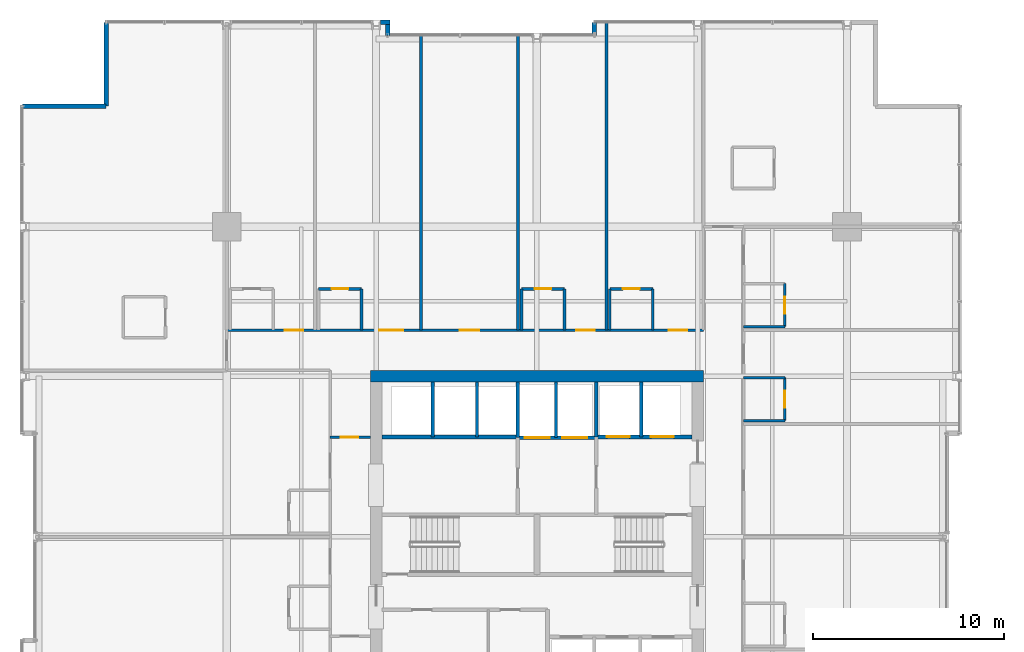
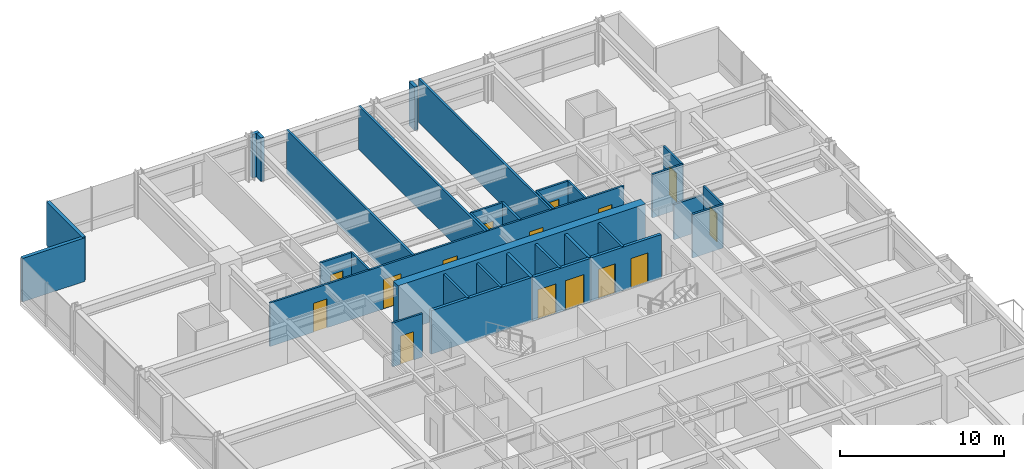
# One storey, part 31 of 35: 33 walls, 15 doors, 15 openings.
"""IFC4 building model written with IfcOpenShell, lengths in metres."""

from ifc_helpers import new_model, si_unit, direction, frame, frame_2d, origin, place, context, subcontext, project, spatial, rectangle, extrude, material, layer, layer_set, type_object, element, fill, save


model = new_model("IFC4")

# Units and contexts
model_context = context("Model", 3, precision=1e-05, world=origin(), true_north=direction((0.0, 1.0)))
body_context = subcontext(model_context, "Body", "Model", "MODEL_VIEW")
ifc_project = project(units=[si_unit("LENGTHUNIT", "METRE"), si_unit("AREAUNIT", "SQUARE_METRE"), si_unit("VOLUMEUNIT", "CUBIC_METRE"), si_unit("PLANEANGLEUNIT", "RADIAN"), si_unit("MASSUNIT", "GRAM", prefix="KILO")], contexts=[model_context])

# Site, building, storey
site_placement = place(None, origin())
site = spatial("IfcSite", under=ifc_project, at=site_placement, CompositionType="ELEMENT")
building_placement = place(site_placement, origin())
building = spatial("IfcBuilding", under=site, at=building_placement, Name="Drelvath Grand Hotel", CompositionType="ELEMENT")
storey_placement = place(building_placement, frame((0.0, 0.0, 95.300048828125)))
storey = spatial("IfcBuildingStorey", under=building, at=storey_placement, Name="L23", CompositionType="ELEMENT", Elevation=95.300048828125)

# Wall, openings, doors
ifc_material_1 = material(Name="Concrete C40/50", Category="concrete")
ifc_layer_1 = layer(ifc_material_1, 0.199951171875)
ifc_layer_set_1 = layer_set([ifc_layer_1], Name="Concrete C40/50")
wall_type_1 = type_object("IfcWallType", Name="Core Hoistway Fire Wall 200", PredefinedType="SOLIDWALL", material=ifc_layer_set_1)
wall_1_placement = place(storey_placement, frame((3.10009765625, 32.219970703125, 0.0), z_axis=(0.0, 0.0, 1.0), x_axis=(1.0, 0.0, 0.0)))
wall_1 = element("IfcWall", 1, at=wall_1_placement, inside=storey, type_object=wall_type_1, Name="L23 FSAE Hoistway Front Wall", PredefinedType="SOLIDWALL", context=body_context, shape_type="SweptSolid", body=[
    extrude(rectangle(XDim=5.0, YDim=0.199951171875, at=frame_2d((2.5, 0.0))), origin(), (0.0, 0.0, 1.0), 3.239990234375),
])
opening_1_placement = place(wall_1_placement, frame((0.550048828125, 0.0, 0.0)))
opening_1 = element("IfcOpeningElement", 2, at=opening_1_placement, cuts=wall_1, Name="Opening LD-FSAE-1", PredefinedType="OPENING", context=body_context, shape_type="SweptSolid", body=[
    extrude(rectangle(XDim=1.199951171875, YDim=2.199951171875, at=frame_2d((0.60009765625, 1.10009765625))), frame((0.0, 0.10986328125, 0.0), z_axis=(0.0, -1.0, 0.0), x_axis=(1.0, 0.0, 0.0)), (0.0, 0.0, 1.0), 0.219970703125),
])
opening_2_placement = place(wall_1_placement, frame((2.85009765625, 0.0, 0.0)))
opening_2 = element("IfcOpeningElement", 3, at=opening_2_placement, cuts=wall_1, Name="Opening LD-FSAE-2", PredefinedType="OPENING", context=body_context, shape_type="SweptSolid", body=[
    extrude(rectangle(XDim=1.199951171875, YDim=2.199951171875, at=frame_2d((0.60009765625, 1.10009765625))), frame((0.0, 0.10986328125, 0.0), z_axis=(0.0, -1.0, 0.0), x_axis=(1.0, 0.0, 0.0)), (0.0, 0.0, 1.0), 0.219970703125),
])
ifc_material_2 = material(Name="Stainless Steel S355", Category="steel")
door_type_1 = type_object("IfcDoorType", Name="FSAE Lift Sliding Landing Door 1200x2200", OperationType="NOTDEFINED", PredefinedType="DOOR", material=ifc_material_2)
door_1_placement = place(opening_1_placement, origin())
door_1 = element("IfcDoor", 4, at=door_1_placement, inside=storey, type_object=door_type_1, Name="L23 Lift FSAE-1 Landing Door", OperationType="SLIDING_TO_LEFT", OverallHeight=2.199951171875, OverallWidth=1.199951171875, PredefinedType="DOOR", context=body_context, shape_type="SweptSolid", body=[
    extrude(rectangle(XDim=1.199951171875, YDim=2.199951171875, at=frame_2d((0.60009765625, 1.10009765625))), frame((0.0, 0.02490234375, 0.0), z_axis=(0.0, -1.0, 0.0), x_axis=(1.0, 0.0, 0.0)), (0.0, 0.0, 1.0), 0.050048828125),
])
fill(opening_1, door_1)
door_2_placement = place(opening_2_placement, origin())
door_2 = element("IfcDoor", 5, at=door_2_placement, inside=storey, type_object=door_type_1, Name="L23 Lift FSAE-2 Landing Door", OperationType="SLIDING_TO_LEFT", OverallHeight=2.199951171875, OverallWidth=1.199951171875, PredefinedType="DOOR", context=body_context, shape_type="SweptSolid", body=[
    extrude(rectangle(XDim=1.199951171875, YDim=2.199951171875, at=frame_2d((0.60009765625, 1.10009765625))), frame((0.0, 0.02490234375, 0.0), z_axis=(0.0, -1.0, 0.0), x_axis=(1.0, 0.0, 0.0)), (0.0, 0.0, 1.0), 0.050048828125),
])
fill(opening_2, door_2)

# Wall
wall_2_placement = place(storey_placement, frame((3.10009765625, 32.219970703125, 0.0), z_axis=(0.0, 0.0, 1.0), x_axis=(0.0, 1.0, 0.0)))
element("IfcWall", 6, at=wall_2_placement, inside=storey, type_object=wall_type_1, Name="L23 FSAE Hoistway West Wall", PredefinedType="SOLIDWALL", context=body_context, shape_type="SweptSolid", body=[
    extrude(rectangle(XDim=2.880126953125, YDim=0.199951171875, at=frame_2d((1.43994140625, 0.0))), origin(), (0.0, 0.0, 1.0), 3.239990234375),
])

# Wall, openings, doors
wall_3_placement = place(storey_placement, frame((-1.0, 32.179931640625, 0.0), z_axis=(0.0, 0.0, 1.0), x_axis=(1.0, 0.0, 0.0)))
wall_3 = element("IfcWall", 7, at=wall_3_placement, inside=storey, type_object=wall_type_1, Name="L23 Service Lift Hoistway Wall", PredefinedType="SOLIDWALL", context=body_context, shape_type="SweptSolid", body=[
    extrude(rectangle(XDim=4.10009765625, YDim=0.199951171875, at=frame_2d((2.050048828125, 0.0))), origin(), (0.0, 0.0, 1.0), 3.239990234375),
])
opening_3_placement = place(wall_3_placement, frame((0.3701171875, 0.0, 0.0)))
opening_3 = element("IfcOpeningElement", 8, at=opening_3_placement, cuts=wall_3, Name="Opening LD-SV-2", PredefinedType="OPENING", context=body_context, shape_type="SweptSolid", body=[
    extrude(rectangle(XDim=1.300048828125, YDim=2.199951171875, at=frame_2d((0.64990234375, 1.10009765625))), frame((0.0, 0.10986328125, 0.0), z_axis=(0.0, -1.0, 0.0), x_axis=(1.0, 0.0, 0.0)), (0.0, 0.0, 1.0), 0.219970703125),
])
opening_4_placement = place(wall_3_placement, frame((2.330078125, 0.0, 0.0)))
opening_4 = element("IfcOpeningElement", 9, at=opening_4_placement, cuts=wall_3, Name="Opening LD-SV-1", PredefinedType="OPENING", context=body_context, shape_type="SweptSolid", body=[
    extrude(rectangle(XDim=1.300048828125, YDim=2.199951171875, at=frame_2d((0.64990234375, 1.10009765625))), frame((0.0, 0.10986328125, 0.0), z_axis=(0.0, -1.0, 0.0), x_axis=(1.0, 0.0, 0.0)), (0.0, 0.0, 1.0), 0.219970703125),
])
door_type_2 = type_object("IfcDoorType", Name="Service Lift Sliding Landing Door 1300x2200", OperationType="NOTDEFINED", PredefinedType="DOOR", material=ifc_material_2)
door_3_placement = place(opening_3_placement, origin())
door_3 = element("IfcDoor", 10, at=door_3_placement, inside=storey, type_object=door_type_2, Name="L23 Lift SV-2 Landing Door", OperationType="SLIDING_TO_LEFT", OverallHeight=2.199951171875, OverallWidth=1.300048828125, PredefinedType="DOOR", context=body_context, shape_type="SweptSolid", body=[
    extrude(rectangle(XDim=1.300048828125, YDim=2.199951171875, at=frame_2d((0.64990234375, 1.10009765625))), frame((0.0, 0.02490234375, 0.0), z_axis=(0.0, -1.0, 0.0), x_axis=(1.0, 0.0, 0.0)), (0.0, 0.0, 1.0), 0.050048828125),
])
fill(opening_3, door_3)
door_4_placement = place(opening_4_placement, origin())
door_4 = element("IfcDoor", 11, at=door_4_placement, inside=storey, type_object=door_type_2, Name="L23 Lift SV-1 Landing Door", OperationType="SLIDING_TO_LEFT", OverallHeight=2.199951171875, OverallWidth=1.300048828125, PredefinedType="DOOR", context=body_context, shape_type="SweptSolid", body=[
    extrude(rectangle(XDim=1.300048828125, YDim=2.199951171875, at=frame_2d((0.64990234375, 1.10009765625))), frame((0.0, 0.02490234375, 0.0), z_axis=(0.0, -1.0, 0.0), x_axis=(1.0, 0.0, 0.0)), (0.0, 0.0, 1.0), 0.050048828125),
])
fill(opening_4, door_4)

# Walls
wall_4_placement = place(storey_placement, frame((-1.0, 32.179931640625, 0.0), z_axis=(0.0, 0.0, 1.0), x_axis=(0.0, 1.0, 0.0)))
element("IfcWall", 12, at=wall_4_placement, inside=storey, type_object=wall_type_1, Name="L23 Service Lift West Wall", PredefinedType="SOLIDWALL", context=body_context, shape_type="SweptSolid", body=[
    extrude(rectangle(XDim=2.920166015625, YDim=0.199951171875, at=frame_2d((1.4599609375, 0.0))), origin(), (0.0, 0.0, 1.0), 3.239990234375),
])
wall_5_placement = place(storey_placement, frame((-8.10009765625, 32.219970703125, 0.0), z_axis=(0.0, 0.0, 1.0), x_axis=(1.0, 0.0, 0.0)))
element("IfcWall", 13, at=wall_5_placement, inside=storey, type_object=wall_type_1, Name="L23 Bank 3 Hoistway Wall", PredefinedType="SOLIDWALL", context=body_context, shape_type="SweptSolid", body=[
    extrude(rectangle(XDim=7.10009765625, YDim=0.199951171875, at=frame_2d((3.550048828125, 0.0))), origin(), (0.0, 0.0, 1.0), 3.239990234375),
])
ifc_material_3 = material(Name="Gypsum Fireboard Partition")
ifc_layer_2 = layer(ifc_material_3, 0.1650390625)
ifc_layer_set_2 = layer_set([ifc_layer_2], Name="Gypsum Fireboard Partition")
wall_type_2 = type_object("IfcWallType", Name="Core Shaft Partition 165", PredefinedType="PARTITIONING", material=ifc_layer_set_2)
wall_6_placement = place(storey_placement, frame((5.449951171875, 32.219970703125, 0.0), z_axis=(0.0, 0.0, 1.0), x_axis=(0.0, 1.0, 0.0)))
element("IfcWall", 14, at=wall_6_placement, inside=storey, type_object=wall_type_2, Name="L23 FSAE Hoistway Divider", PredefinedType="PARTITIONING", context=body_context, shape_type="SweptSolid", body=[
    extrude(rectangle(XDim=2.880126953125, YDim=0.1650390625, at=frame_2d((1.43994140625, 0.0))), origin(), (0.0, 0.0, 1.0), 3.239990234375),
])
wall_7_placement = place(storey_placement, frame((1.0, 32.179931640625, 0.0), z_axis=(0.0, 0.0, 1.0), x_axis=(0.0, 1.0, 0.0)))
element("IfcWall", 15, at=wall_7_placement, inside=storey, type_object=wall_type_2, Name="L23 Service Lift Divider", PredefinedType="PARTITIONING", context=body_context, shape_type="SweptSolid", body=[
    extrude(rectangle(XDim=2.920166015625, YDim=0.1650390625, at=frame_2d((1.4599609375, 0.0))), origin(), (0.0, 0.0, 1.0), 3.239990234375),
])
for number, where, z_axis, x_axis, name in (
    (16, (-5.43994140625, 32.219970703125, 0.0), (0.0, 0.0, 1.0), (0.0, 1.0, 0.0), "L23 Lift PE-7/8 Divider"),
    (17, (-3.1201171875, 32.219970703125, 0.0), (0.0, 0.0, 1.0), (0.0, 1.0, 0.0), "L23 Lift PE-8/9 Divider"),
):
    element("IfcWall", number, at=place(storey_placement, frame(where, z_axis=z_axis, x_axis=x_axis)), inside=storey, type_object=wall_type_2, Name=name, PredefinedType="PARTITIONING", context=body_context, shape_type="SweptSolid", body=[
        extrude(rectangle(XDim=2.880126953125, YDim=0.1650390625, at=frame_2d((1.43994140625, 0.0))), origin(), (0.0, 0.0, 1.0), 3.239990234375),
    ])

# Wall, opening, door
ifc_layer_3 = layer(ifc_material_3, 0.135009765625)
ifc_layer_set_3 = layer_set([ifc_layer_3], Name="Gypsum Fireboard Partition")
wall_type_3 = type_object("IfcWallType", Name="Corridor Fire Barrier Wall 135", PredefinedType="PARTITIONING", material=ifc_layer_set_3)
wall_8_placement = place(storey_placement, frame((-10.800048828125, 32.199951171875, 0.0), z_axis=(0.0, 0.0, 1.0), x_axis=(1.0, 0.0, 0.0)))
wall_8 = element("IfcWall", 18, at=wall_8_placement, inside=storey, type_object=wall_type_3, Name="L23 West Foyer North Wall", PredefinedType="PARTITIONING", context=body_context, shape_type="SweptSolid", body=[
    extrude(rectangle(XDim=2.10009765625, YDim=0.135009765625, at=frame_2d((1.050048828125, 0.0))), origin(), (0.0, 0.0, 1.0), 3.239990234375),
])
opening_5_placement = place(wall_8_placement, frame((0.550048828125, 0.0, 0.0)))
opening_5 = element("IfcOpeningElement", 19, at=opening_5_placement, cuts=wall_8, Name="Opening D-T2G1-018", PredefinedType="OPENING", context=body_context, shape_type="SweptSolid", body=[
    extrude(rectangle(XDim=0.919921875, YDim=2.10009765625, at=frame_2d((0.4599609375, 1.050048828125))), frame((0.0, 0.077392578125, 0.0), z_axis=(0.0, -1.0, 0.0), x_axis=(1.0, 0.0, 0.0)), (0.0, 0.0, 1.0), 0.155029296875),
])
ifc_material_4 = material(Name="Painted Steel S275", Category="steel")
door_type_3 = type_object("IfcDoorType", Name="Staff Utility Door 920x2100", OperationType="NOTDEFINED", PredefinedType="DOOR", material=ifc_material_4)
door_5_placement = place(opening_5_placement, origin())
door_5 = element("IfcDoor", 20, at=door_5_placement, inside=storey, type_object=door_type_3, Name="L23 West Pantry Door", OperationType="SINGLE_SWING_LEFT", OverallHeight=2.10009765625, OverallWidth=0.919921875, PredefinedType="DOOR", context=body_context, shape_type="SweptSolid", body=[
    extrude(rectangle(XDim=0.919921875, YDim=2.10009765625, at=frame_2d((0.4599609375, 1.050048828125))), frame((0.0, 0.02490234375, 0.0), z_axis=(0.0, -1.0, 0.0), x_axis=(1.0, 0.0, 0.0)), (0.0, 0.0, 1.0), 0.050048828125),
])
fill(opening_5, door_5)

# Wall, openings, doors
wall_9_placement = place(storey_placement, frame((-16.199951171875, 37.800048828125, 0.0), z_axis=(0.0, 0.0, 1.0), x_axis=(1.0, 0.0, 0.0)))
wall_9 = element("IfcWall", 21, at=wall_9_placement, inside=storey, type_object=wall_type_3, Name="L23 North Stub Corridor Wall", PredefinedType="PARTITIONING", context=body_context, shape_type="SweptSolid", body=[
    extrude(rectangle(XDim=24.89990234375, YDim=0.135009765625, at=frame_2d((12.449951171875, 0.0))), origin(), (0.0, 0.0, 1.0), 3.239990234375),
])
opening_6_placement = place(wall_9_placement, frame((3.04052734375, 0.0, 0.0)))
opening_6 = element("IfcOpeningElement", 22, at=opening_6_placement, cuts=wall_9, Name="Opening D-T2G1-038", PredefinedType="OPENING", context=body_context, shape_type="SweptSolid", body=[
    extrude(rectangle(XDim=0.9599609375, YDim=2.14990234375, at=frame_2d((0.47998046875, 1.074951171875))), frame((0.0, 0.077392578125, 0.0), z_axis=(0.0, -1.0, 0.0), x_axis=(1.0, 0.0, 0.0)), (0.0, 0.0, 1.0), 0.155029296875),
])
opening_7_placement = place(wall_9_placement, frame((7.962890625, 0.0, 0.0)))
opening_7 = element("IfcOpeningElement", 23, at=opening_7_placement, cuts=wall_9, Name="Opening D-T2G1-040", PredefinedType="OPENING", context=body_context, shape_type="SweptSolid", body=[
    extrude(rectangle(XDim=1.260009765625, YDim=2.199951171875, at=frame_2d((0.6298828125, 1.10009765625))), frame((0.0, 0.077392578125, 0.0), z_axis=(0.0, -1.0, 0.0), x_axis=(1.0, 0.0, 0.0)), (0.0, 0.0, 1.0), 0.155029296875),
])
opening_8_placement = place(wall_9_placement, frame((12.170654296875, 0.0, 0.0)))
opening_8 = element("IfcOpeningElement", 24, at=opening_8_placement, cuts=wall_9, Name="Opening D-T2G1-041", PredefinedType="OPENING", context=body_context, shape_type="SweptSolid", body=[
    extrude(rectangle(XDim=1.02001953125, YDim=2.14990234375, at=frame_2d((0.510009765625, 1.074951171875))), frame((0.0, 0.077392578125, 0.0), z_axis=(0.0, -1.0, 0.0), x_axis=(1.0, 0.0, 0.0)), (0.0, 0.0, 1.0), 0.155029296875),
])
opening_9_placement = place(wall_9_placement, frame((18.25732421875, 0.0, 0.0)))
opening_9 = element("IfcOpeningElement", 25, at=opening_9_placement, cuts=wall_9, Name="Opening D-T2G1-043", PredefinedType="OPENING", context=body_context, shape_type="SweptSolid", body=[
    extrude(rectangle(XDim=0.9599609375, YDim=2.14990234375, at=frame_2d((0.47998046875, 1.074951171875))), frame((0.0, 0.077392578125, 0.0), z_axis=(0.0, -1.0, 0.0), x_axis=(1.0, 0.0, 0.0)), (0.0, 0.0, 1.0), 0.155029296875),
])
opening_10_placement = place(wall_9_placement, frame((23.098876953125, 0.0, 0.0)))
opening_10 = element("IfcOpeningElement", 26, at=opening_10_placement, cuts=wall_9, Name="Opening D-T2G1-045", PredefinedType="OPENING", context=body_context, shape_type="SweptSolid", body=[
    extrude(rectangle(XDim=0.9599609375, YDim=2.14990234375, at=frame_2d((0.47998046875, 1.074951171875))), frame((0.0, 0.077392578125, 0.0), z_axis=(0.0, -1.0, 0.0), x_axis=(1.0, 0.0, 0.0)), (0.0, 0.0, 1.0), 0.155029296875),
])
ifc_material_5 = material(Name="Hardwood Walnut Timber", Category="wood")
door_type_4 = type_object("IfcDoorType", Name="Amenity Meeting Fire Door 1020x2150", OperationType="NOTDEFINED", PredefinedType="DOOR", material=ifc_material_5)
door_6_placement = place(opening_8_placement, origin())
door_6 = element("IfcDoor", 27, at=door_6_placement, inside=storey, type_object=door_type_4, Name="L23 Mid-Rise Business Lounge Entry Door", OperationType="SINGLE_SWING_RIGHT", OverallHeight=2.14990234375, OverallWidth=1.02001953125, PredefinedType="DOOR", context=body_context, shape_type="SweptSolid", body=[
    extrude(rectangle(XDim=1.02001953125, YDim=2.14990234375, at=frame_2d((0.510009765625, 1.074951171875))), frame((0.0, 0.02490234375, 0.0), z_axis=(0.0, -1.0, 0.0), x_axis=(1.0, 0.0, 0.0)), (0.0, 0.0, 1.0), 0.050048828125),
])
fill(opening_8, door_6)
door_type_5 = type_object("IfcDoorType", Name="Guestroom Entrance Fire Door 960x2150", OperationType="NOTDEFINED", PredefinedType="DOOR", material=ifc_material_5)
door_7_placement = place(opening_6_placement, origin())
door_7 = element("IfcDoor", 28, at=door_7_placement, inside=storey, type_object=door_type_5, Name="L23 Deluxe Guest Room Entry Door", OperationType="SINGLE_SWING_LEFT", OverallHeight=2.14990234375, OverallWidth=0.9599609375, PredefinedType="DOOR", context=body_context, shape_type="SweptSolid", body=[
    extrude(rectangle(XDim=0.9599609375, YDim=2.14990234375, at=frame_2d((0.47998046875, 1.074951171875))), frame((0.0, 0.02490234375, 0.0), z_axis=(0.0, -1.0, 0.0), x_axis=(1.0, 0.0, 0.0)), (0.0, 0.0, 1.0), 0.050048828125),
])
fill(opening_6, door_7)
door_8_placement = place(opening_9_placement, origin())
door_8 = element("IfcDoor", 29, at=door_8_placement, inside=storey, type_object=door_type_5, Name="L23 Deluxe Guest Room Entry Door", OperationType="SINGLE_SWING_RIGHT", OverallHeight=2.14990234375, OverallWidth=0.9599609375, PredefinedType="DOOR", context=body_context, shape_type="SweptSolid", body=[
    extrude(rectangle(XDim=0.9599609375, YDim=2.14990234375, at=frame_2d((0.47998046875, 1.074951171875))), frame((0.0, 0.02490234375, 0.0), z_axis=(0.0, -1.0, 0.0), x_axis=(1.0, 0.0, 0.0)), (0.0, 0.0, 1.0), 0.050048828125),
])
fill(opening_9, door_8)
door_9_placement = place(opening_10_placement, origin())
door_9 = element("IfcDoor", 30, at=door_9_placement, inside=storey, type_object=door_type_5, Name="L23 Deluxe Guest Room Entry Door", OperationType="SINGLE_SWING_RIGHT", OverallHeight=2.14990234375, OverallWidth=0.9599609375, PredefinedType="DOOR", context=body_context, shape_type="SweptSolid", body=[
    extrude(rectangle(XDim=0.9599609375, YDim=2.14990234375, at=frame_2d((0.47998046875, 1.074951171875))), frame((0.0, 0.02490234375, 0.0), z_axis=(0.0, -1.0, 0.0), x_axis=(1.0, 0.0, 0.0)), (0.0, 0.0, 1.0), 0.050048828125),
])
fill(opening_10, door_9)
door_type_6 = type_object("IfcDoorType", Name="Suite Entrance Fire Door 1260x2200", OperationType="NOTDEFINED", PredefinedType="DOOR", material=ifc_material_5)
door_10_placement = place(opening_7_placement, origin())
door_10 = element("IfcDoor", 31, at=door_10_placement, inside=storey, type_object=door_type_6, Name="L23 Corner Suite Entry Door", OperationType="SINGLE_SWING_LEFT", OverallHeight=2.199951171875, OverallWidth=1.260009765625, PredefinedType="DOOR", context=body_context, shape_type="SweptSolid", body=[
    extrude(rectangle(XDim=1.260009765625, YDim=2.199951171875, at=frame_2d((0.6298828125, 1.10009765625))), frame((0.0, 0.02490234375, 0.0), z_axis=(0.0, -1.0, 0.0), x_axis=(1.0, 0.0, 0.0)), (0.0, 0.0, 1.0), 0.050048828125),
])
fill(opening_7, door_10)

# Wall
ifc_material_6 = material(Name="Moisture-Resistant Gypsum Board")
ifc_layer_4 = layer(ifc_material_6, 0.139892578125)
ifc_layer_set_4 = layer_set([ifc_layer_4], Name="Moisture-Resistant Gypsum Board")
wall_type_4 = type_object("IfcWallType", Name="En-Suite Plumbing Wall 140", PredefinedType="PLUMBINGWALL", material=ifc_layer_set_4)
wall_10_placement = place(storey_placement, frame((-9.158935546875, 37.800048828125, 0.0), z_axis=(0.0, 0.0, 1.0), x_axis=(0.0, 1.0, 0.0)))
element("IfcWall", 32, at=wall_10_placement, inside=storey, type_object=wall_type_4, Name="L23 En-Suite Right Wall", PredefinedType="PLUMBINGWALL", context=body_context, shape_type="SweptSolid", body=[
    extrude(rectangle(XDim=2.14990234375, YDim=0.139892578125, at=frame_2d((1.074951171875, 0.0))), origin(), (0.0, 0.0, 1.0), 3.239990234375),
])

# Wall, opening, door
wall_11_placement = place(storey_placement, frame((-11.408935546875, 39.949951171875, 0.0), z_axis=(0.0, 0.0, 1.0), x_axis=(1.0, 0.0, 0.0)))
wall_11 = element("IfcWall", 33, at=wall_11_placement, inside=storey, type_object=wall_type_4, Name="L23 En-Suite Front Wall", PredefinedType="PLUMBINGWALL", context=body_context, shape_type="SweptSolid", body=[
    extrude(rectangle(XDim=2.25, YDim=0.139892578125, at=frame_2d((1.125, 0.0))), origin(), (0.0, 0.0, 1.0), 3.239990234375),
])
opening_11_placement = place(wall_11_placement, frame((0.68505859375, 0.0, 0.0)))
opening_11 = element("IfcOpeningElement", 34, at=opening_11_placement, cuts=wall_11, Name="Opening D-T2G1-039", PredefinedType="OPENING", context=body_context, shape_type="SweptSolid", body=[
    extrude(rectangle(XDim=0.8798828125, YDim=2.10009765625, at=frame_2d((0.43994140625, 1.050048828125))), frame((0.0, 0.079833984375, 0.0), z_axis=(0.0, -1.0, 0.0), x_axis=(1.0, 0.0, 0.0)), (0.0, 0.0, 1.0), 0.159912109375),
])
door_type_7 = type_object("IfcDoorType", Name="En-Suite Bathroom Door 880x2100", OperationType="NOTDEFINED", PredefinedType="DOOR", material=ifc_material_5)
door_11_placement = place(opening_11_placement, origin())
door_11 = element("IfcDoor", 35, at=door_11_placement, inside=storey, type_object=door_type_7, Name="L23 En-Suite Bathroom Door", OperationType="SINGLE_SWING_RIGHT", OverallHeight=2.10009765625, OverallWidth=0.8798828125, PredefinedType="DOOR", context=body_context, shape_type="SweptSolid", body=[
    extrude(rectangle(XDim=0.8798828125, YDim=2.10009765625, at=frame_2d((0.43994140625, 1.050048828125))), frame((0.0, 0.02490234375, 0.0), z_axis=(0.0, -1.0, 0.0), x_axis=(1.0, 0.0, 0.0)), (0.0, 0.0, 1.0), 0.050048828125),
])
fill(opening_11, door_11)

# Walls
for number, where, z_axis, x_axis, name in (
    (36, (-0.80322265625, 37.800048828125, 0.0), (0.0, 0.0, 1.0), (0.0, 1.0, 0.0), "L23 En-Suite Left Wall"),
    (37, (1.44677734375, 37.800048828125, 0.0), (0.0, 0.0, 1.0), (0.0, 1.0, 0.0), "L23 En-Suite Right Wall"),
):
    element("IfcWall", number, at=place(storey_placement, frame(where, z_axis=z_axis, x_axis=x_axis)), inside=storey, type_object=wall_type_4, Name=name, PredefinedType="PLUMBINGWALL", context=body_context, shape_type="SweptSolid", body=[
        extrude(rectangle(XDim=2.14990234375, YDim=0.139892578125, at=frame_2d((1.074951171875, 0.0))), origin(), (0.0, 0.0, 1.0), 3.239990234375),
    ])

# Wall, opening, door
wall_12_placement = place(storey_placement, frame((-0.80322265625, 39.949951171875, 0.0), z_axis=(0.0, 0.0, 1.0), x_axis=(1.0, 0.0, 0.0)))
wall_12 = element("IfcWall", 38, at=wall_12_placement, inside=storey, type_object=wall_type_4, Name="L23 En-Suite Front Wall", PredefinedType="PLUMBINGWALL", context=body_context, shape_type="SweptSolid", body=[
    extrude(rectangle(XDim=2.25, YDim=0.139892578125, at=frame_2d((1.125, 0.0))), origin(), (0.0, 0.0, 1.0), 3.239990234375),
])
opening_12_placement = place(wall_12_placement, frame((0.68505859375, 0.0, 0.0)))
opening_12 = element("IfcOpeningElement", 39, at=opening_12_placement, cuts=wall_12, Name="Opening D-T2G1-042", PredefinedType="OPENING", context=body_context, shape_type="SweptSolid", body=[
    extrude(rectangle(XDim=0.8798828125, YDim=2.10009765625, at=frame_2d((0.43994140625, 1.050048828125))), frame((0.0, 0.079833984375, 0.0), z_axis=(0.0, -1.0, 0.0), x_axis=(1.0, 0.0, 0.0)), (0.0, 0.0, 1.0), 0.159912109375),
])
door_12_placement = place(opening_12_placement, origin())
door_12 = element("IfcDoor", 40, at=door_12_placement, inside=storey, type_object=door_type_7, Name="L23 En-Suite Bathroom Door", OperationType="SINGLE_SWING_LEFT", OverallHeight=2.10009765625, OverallWidth=0.8798828125, PredefinedType="DOOR", context=body_context, shape_type="SweptSolid", body=[
    extrude(rectangle(XDim=0.8798828125, YDim=2.10009765625, at=frame_2d((0.43994140625, 1.050048828125))), frame((0.0, 0.02490234375, 0.0), z_axis=(0.0, -1.0, 0.0), x_axis=(1.0, 0.0, 0.0)), (0.0, 0.0, 1.0), 0.050048828125),
])
fill(opening_12, door_12)

# Walls
for number, where, z_axis, x_axis, name in (
    (41, (3.807861328125, 37.800048828125, 0.0), (0.0, 0.0, 1.0), (0.0, 1.0, 0.0), "L23 En-Suite Left Wall"),
    (42, (6.057861328125, 37.800048828125, 0.0), (0.0, 0.0, 1.0), (0.0, 1.0, 0.0), "L23 En-Suite Right Wall"),
):
    element("IfcWall", number, at=place(storey_placement, frame(where, z_axis=z_axis, x_axis=x_axis)), inside=storey, type_object=wall_type_4, Name=name, PredefinedType="PLUMBINGWALL", context=body_context, shape_type="SweptSolid", body=[
        extrude(rectangle(XDim=2.14990234375, YDim=0.139892578125, at=frame_2d((1.074951171875, 0.0))), origin(), (0.0, 0.0, 1.0), 3.239990234375),
    ])

# Wall, opening, door
wall_13_placement = place(storey_placement, frame((3.807861328125, 39.949951171875, 0.0), z_axis=(0.0, 0.0, 1.0), x_axis=(1.0, 0.0, 0.0)))
wall_13 = element("IfcWall", 43, at=wall_13_placement, inside=storey, type_object=wall_type_4, Name="L23 En-Suite Front Wall", PredefinedType="PLUMBINGWALL", context=body_context, shape_type="SweptSolid", body=[
    extrude(rectangle(XDim=2.25, YDim=0.139892578125, at=frame_2d((1.125, 0.0))), origin(), (0.0, 0.0, 1.0), 3.239990234375),
])
opening_13_placement = place(wall_13_placement, frame((0.68505859375, 0.0, 0.0)))
opening_13 = element("IfcOpeningElement", 44, at=opening_13_placement, cuts=wall_13, Name="Opening D-T2G1-044", PredefinedType="OPENING", context=body_context, shape_type="SweptSolid", body=[
    extrude(rectangle(XDim=0.8798828125, YDim=2.10009765625, at=frame_2d((0.43994140625, 1.050048828125))), frame((0.0, 0.079833984375, 0.0), z_axis=(0.0, -1.0, 0.0), x_axis=(1.0, 0.0, 0.0)), (0.0, 0.0, 1.0), 0.159912109375),
])
door_13_placement = place(opening_13_placement, origin())
door_13 = element("IfcDoor", 45, at=door_13_placement, inside=storey, type_object=door_type_7, Name="L23 En-Suite Bathroom Door", OperationType="SINGLE_SWING_LEFT", OverallHeight=2.10009765625, OverallWidth=0.8798828125, PredefinedType="DOOR", context=body_context, shape_type="SweptSolid", body=[
    extrude(rectangle(XDim=0.8798828125, YDim=2.10009765625, at=frame_2d((0.43994140625, 1.050048828125))), frame((0.0, 0.02490234375, 0.0), z_axis=(0.0, -1.0, 0.0), x_axis=(1.0, 0.0, 0.0)), (0.0, 0.0, 1.0), 0.050048828125),
])
fill(opening_13, door_13)

# Walls
wall_14_placement = place(storey_placement, frame((10.800048828125, 33.07080078125, 0.0), z_axis=(0.0, 0.0, 1.0), x_axis=(1.0, 0.0, 0.0)))
element("IfcWall", 46, at=wall_14_placement, inside=storey, type_object=wall_type_4, Name="L23 En-Suite Left Wall", PredefinedType="PLUMBINGWALL", context=body_context, shape_type="SweptSolid", body=[
    extrude(rectangle(XDim=2.14990234375, YDim=0.139892578125, at=frame_2d((1.074951171875, 0.0))), origin(), (0.0, 0.0, 1.0), 3.239990234375),
])
wall_15_placement = place(storey_placement, frame((10.800048828125, 35.32080078125, 0.0), z_axis=(0.0, 0.0, 1.0), x_axis=(1.0, 0.0, 0.0)))
element("IfcWall", 47, at=wall_15_placement, inside=storey, type_object=wall_type_4, Name="L23 En-Suite Right Wall", PredefinedType="PLUMBINGWALL", context=body_context, shape_type="SweptSolid", body=[
    extrude(rectangle(XDim=2.14990234375, YDim=0.139892578125, at=frame_2d((1.074951171875, 0.0))), origin(), (0.0, 0.0, 1.0), 2.617431640625),
])

# Wall, opening, door
wall_16_placement = place(storey_placement, frame((12.949951171875, 33.07080078125, 0.0), z_axis=(0.0, 0.0, 1.0), x_axis=(0.0, 1.0, 0.0)))
wall_16 = element("IfcWall", 48, at=wall_16_placement, inside=storey, type_object=wall_type_4, Name="L23 En-Suite Front Wall", PredefinedType="PLUMBINGWALL", context=body_context, shape_type="SweptSolid", body=[
    extrude(rectangle(XDim=2.25, YDim=0.139892578125, at=frame_2d((1.125, 0.0))), origin(), (0.0, 0.0, 1.0), 3.239990234375),
])
opening_14_placement = place(wall_16_placement, frame((0.68505859375, 0.0, 0.0)))
opening_14 = element("IfcOpeningElement", 49, at=opening_14_placement, cuts=wall_16, Name="Opening D-T2G1-053", PredefinedType="OPENING", context=body_context, shape_type="SweptSolid", body=[
    extrude(rectangle(XDim=0.8798828125, YDim=2.10009765625, at=frame_2d((0.43994140625, 1.050048828125))), frame((0.0, 0.079833984375, 0.0), z_axis=(0.0, -1.0, 0.0), x_axis=(1.0, 0.0, 0.0)), (0.0, 0.0, 1.0), 0.159912109375),
])
door_14_placement = place(opening_14_placement, origin())
door_14 = element("IfcDoor", 50, at=door_14_placement, inside=storey, type_object=door_type_7, Name="L23 En-Suite Bathroom Door", OperationType="SINGLE_SWING_RIGHT", OverallHeight=2.10009765625, OverallWidth=0.8798828125, PredefinedType="DOOR", context=body_context, shape_type="SweptSolid", body=[
    extrude(rectangle(XDim=0.8798828125, YDim=2.10009765625, at=frame_2d((0.43994140625, 1.050048828125))), frame((0.0, 0.02490234375, 0.0), z_axis=(0.0, -1.0, 0.0), x_axis=(1.0, 0.0, 0.0)), (0.0, 0.0, 1.0), 0.050048828125),
])
fill(opening_14, door_14)

# Wall
wall_17_placement = place(storey_placement, frame((10.800048828125, 37.97998046875, 0.0), z_axis=(0.0, 0.0, 1.0), x_axis=(1.0, 0.0, 0.0)))
element("IfcWall", 51, at=wall_17_placement, inside=storey, type_object=wall_type_4, Name="L23 En-Suite Left Wall", PredefinedType="PLUMBINGWALL", context=body_context, shape_type="SweptSolid", body=[
    extrude(rectangle(XDim=2.14990234375, YDim=0.139892578125, at=frame_2d((1.074951171875, 0.0))), origin(), (0.0, 0.0, 1.0), 3.239990234375),
])

# Wall, opening, door
wall_18_placement = place(storey_placement, frame((12.949951171875, 37.97998046875, 0.0), z_axis=(0.0, 0.0, 1.0), x_axis=(0.0, 1.0, 0.0)))
wall_18 = element("IfcWall", 52, at=wall_18_placement, inside=storey, type_object=wall_type_4, Name="L23 En-Suite Front Wall", PredefinedType="PLUMBINGWALL", context=body_context, shape_type="SweptSolid", body=[
    extrude(rectangle(XDim=2.25, YDim=0.139892578125, at=frame_2d((1.125, 0.0))), origin(), (0.0, 0.0, 1.0), 3.239990234375),
])
opening_15_placement = place(wall_18_placement, frame((0.68505859375, 0.0, 0.0)))
opening_15 = element("IfcOpeningElement", 53, at=opening_15_placement, cuts=wall_18, Name="Opening D-T2G1-055", PredefinedType="OPENING", context=body_context, shape_type="SweptSolid", body=[
    extrude(rectangle(XDim=0.8798828125, YDim=2.10009765625, at=frame_2d((0.43994140625, 1.050048828125))), frame((0.0, 0.079833984375, 0.0), z_axis=(0.0, -1.0, 0.0), x_axis=(1.0, 0.0, 0.0)), (0.0, 0.0, 1.0), 0.159912109375),
])
door_15_placement = place(opening_15_placement, origin())
door_15 = element("IfcDoor", 54, at=door_15_placement, inside=storey, type_object=door_type_7, Name="L23 En-Suite Bathroom Door", OperationType="SINGLE_SWING_RIGHT", OverallHeight=2.10009765625, OverallWidth=0.8798828125, PredefinedType="DOOR", context=body_context, shape_type="SweptSolid", body=[
    extrude(rectangle(XDim=0.8798828125, YDim=2.10009765625, at=frame_2d((0.43994140625, 1.050048828125))), frame((0.0, 0.02490234375, 0.0), z_axis=(0.0, -1.0, 0.0), x_axis=(1.0, 0.0, 0.0)), (0.0, 0.0, 1.0), 0.050048828125),
])
fill(opening_15, door_15)

# Walls
ifc_material_7 = material(Name="Gypsum Acoustic Partition")
ifc_layer_5 = layer(ifc_material_7, 0.14990234375)
ifc_layer_set_5 = layer_set([ifc_layer_5], Name="Gypsum Acoustic Partition")
wall_type_5 = type_object("IfcWallType", Name="Guestroom Demising Wall 150", PredefinedType="PARTITIONING", material=ifc_layer_set_5)
for number, where, z_axis, x_axis, name in (
    (55, (-6.0556640625, 37.800048828125, 0.0), (0.0, 0.0, 1.0), (0.0, 1.0, 0.0), "L23 North Demising 2"),
    (56, (-0.9833984375, 37.800048828125, 0.0), (0.0, 0.0, 1.0), (0.0, 1.0, 0.0), "L23 North Demising 3"),
):
    element("IfcWall", number, at=place(storey_placement, frame(where, z_axis=z_axis, x_axis=x_axis)), inside=storey, type_object=wall_type_5, Name=name, PredefinedType="PARTITIONING", context=body_context, shape_type="SweptSolid", body=[
        extrude(rectangle(XDim=15.39990234375, YDim=0.14990234375, at=frame_2d((7.699951171875, 0.0))), origin(), (0.0, 0.0, 1.0), 3.239990234375),
    ])
wall_19_placement = place(storey_placement, frame((3.627685546875, 37.800048828125, 0.0), z_axis=(0.0, 0.0, 1.0), x_axis=(0.0, 1.0, 0.0)))
element("IfcWall", 57, at=wall_19_placement, inside=storey, type_object=wall_type_5, Name="L23 North Demising 4", PredefinedType="PARTITIONING", context=body_context, shape_type="SweptSolid", body=[
    extrude(rectangle(XDim=16.079833984375, YDim=0.14990234375, at=frame_2d((8.0400390625, 0.0))), origin(), (0.0, 0.0, 1.0), 3.239990234375),
])
ifc_material_8 = material(Name="Concrete f'c 70 MPa", Category="concrete")
ifc_layer_6 = layer(ifc_material_8, 0.60009765625)
ifc_layer_set_6 = layer_set([ifc_layer_6], Name="Concrete f'c 70 MPa")
wall_type_6 = type_object("IfcWallType", Name="Lower Core RC Shear Wall 600", PredefinedType="SHEAR", material=ifc_layer_set_6)
wall_20_placement = place(storey_placement, frame((-8.699951171875, 35.39990234375, 0.0), z_axis=(0.0, 0.0, 1.0), x_axis=(1.0, 0.0, 0.0)))
element("IfcWall", 58, at=wall_20_placement, inside=storey, type_object=wall_type_6, Name="L23 Central Core Shear Wall N", PredefinedType="SHEAR", context=body_context, shape_type="SweptSolid", body=[
    extrude(rectangle(XDim=17.39990234375, YDim=0.60009765625, at=frame_2d((8.699951171875, 0.0))), origin(), (0.0, 0.0, 1.0), 3.5),
])
ifc_material_9 = material(Name="Pale-Metal Insulated Aluminium Spandrel Assembly", Category="aluminium")
ifc_layer_7 = layer(ifc_material_9, 0.239990234375)
ifc_layer_set_7 = layer_set([ifc_layer_7], Name="Pale-Metal Insulated Aluminium Spandrel Assembly")
wall_type_7 = type_object("IfcWallType", Name="Tower Insulated Metal Spandrel Closure Wall 240", PredefinedType="STANDARD", material=ifc_layer_set_7)
wall_21_placement = place(storey_placement, frame((-8.180419921875, 53.8798828125, 0.0), z_axis=(0.0, 0.0, 1.0), x_axis=(1.0, 0.0, 0.0)))
element("IfcWall", 59, at=wall_21_placement, inside=storey, type_object=wall_type_7, Name="L23 Corner Pier Spandrel Wall NW3", PredefinedType="STANDARD", context=body_context, shape_type="SweptSolid", body=[
    extrude(rectangle(XDim=0.50048828125, YDim=0.239990234375, at=frame_2d((0.250244140625, 0.0))), origin(), (0.0, 0.0, 1.0), 3.239990234375),
])
for number, where, z_axis, x_axis, name in (
    (60, (-26.8798828125, 49.5, 0.0), (0.0, 0.0, 1.0), (1.0, 0.0, 0.0), "L23 Notched Corner Return Spandrel Wall CNW1"),
    (61, (-22.5, 49.5, 0.0), (0.0, 0.0, 1.0), (0.0, 1.0, 0.0), "L23 Notched Corner Return Spandrel Wall CNW2"),
):
    element("IfcWall", number, at=place(storey_placement, frame(where, z_axis=z_axis, x_axis=x_axis)), inside=storey, type_object=wall_type_7, Name=name, PredefinedType="STANDARD", context=body_context, shape_type="SweptSolid", body=[
        extrude(rectangle(XDim=4.3798828125, YDim=0.239990234375, at=frame_2d((2.18994140625, 0.0))), origin(), (0.0, 0.0, 1.0), 3.239990234375),
    ])
wall_22_placement = place(storey_placement, frame((-7.800048828125, 53.760009765625, 0.0), z_axis=(0.0, 0.0, 1.0), x_axis=(0.0, -1.0, 0.0)))
element("IfcWall", 62, at=wall_22_placement, inside=storey, type_object=wall_type_7, Name="L23 Notched Corner Return Spandrel Wall RN1", PredefinedType="STANDARD", context=body_context, shape_type="SweptSolid", body=[
    extrude(rectangle(XDim=0.56005859375, YDim=0.239990234375, at=frame_2d((0.280029296875, 0.0))), origin(), (0.0, 0.0, 1.0), 3.239990234375),
])
wall_23_placement = place(storey_placement, frame((3.0, 53.199951171875, 0.0), z_axis=(0.0, 0.0, 1.0), x_axis=(0.0, 1.0, 0.0)))
element("IfcWall", 63, at=wall_23_placement, inside=storey, type_object=wall_type_7, Name="L23 Notched Corner Return Spandrel Wall RN2", PredefinedType="STANDARD", context=body_context, shape_type="SweptSolid", body=[
    extrude(rectangle(XDim=0.679931640625, YDim=0.239990234375, at=frame_2d((0.33984375, 0.0))), origin(), (0.0, 0.0, 1.0), 3.239990234375),
])

save(model, "model.ifc")
